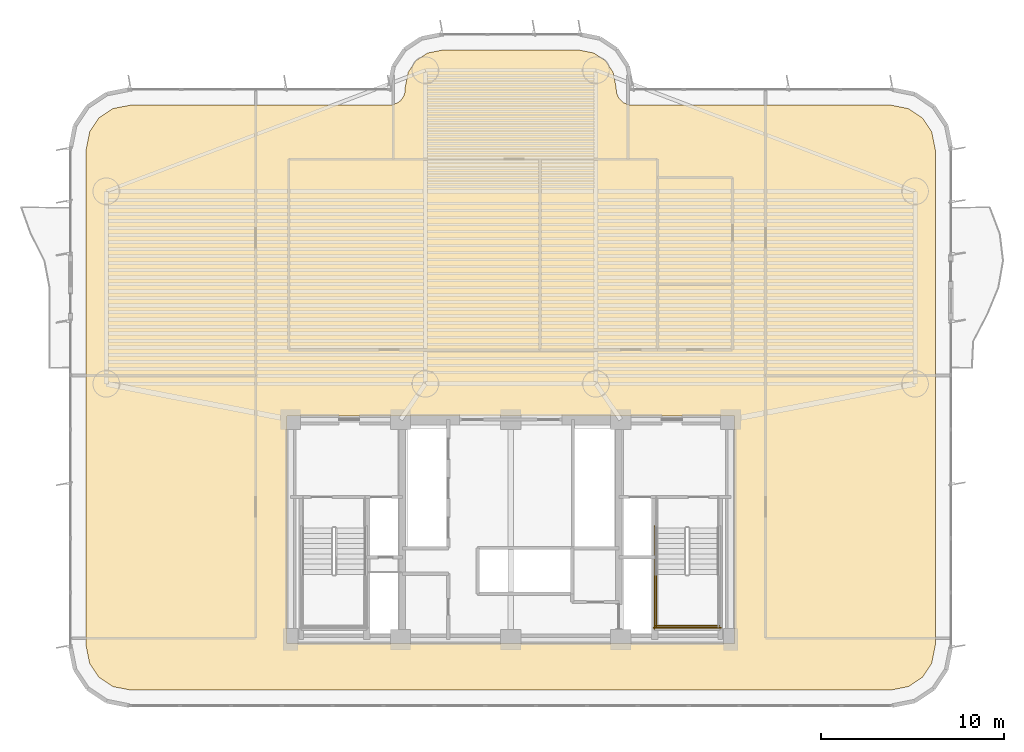
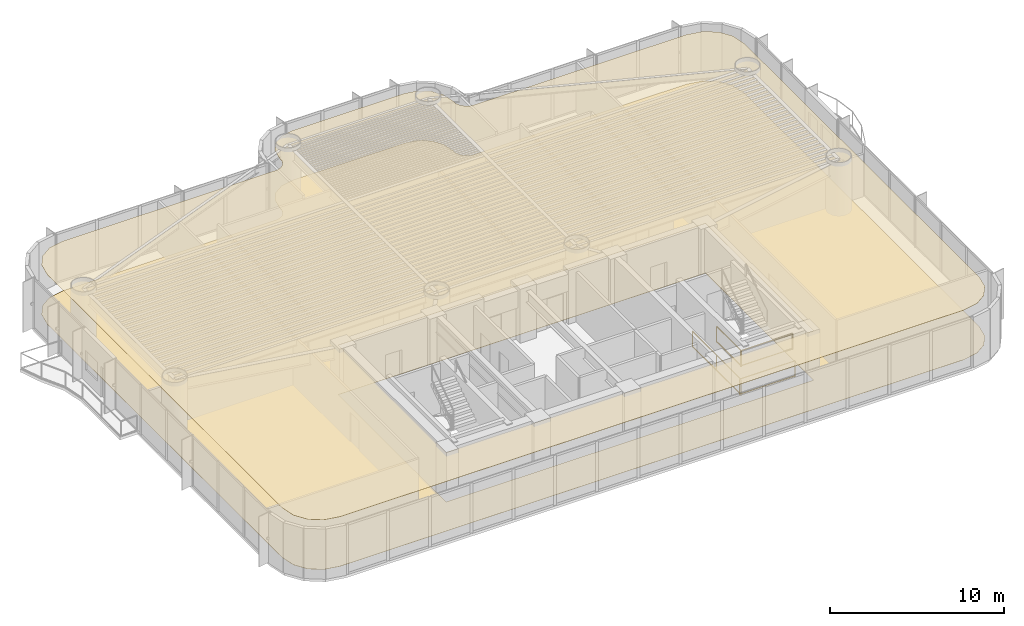
# One storey, part 14 of 16: 4 railings, 2 coverings.
"""IFC4 building model written with IfcOpenShell, lengths in metres."""

from ifc_helpers import new_model, si_unit, direction, frame, origin, origin_2d, place, context, subcontext, project, spatial, polyline, rectangle, outline, extrude, material, layer, layer_set, type_object, element, save


model = new_model("IFC4")

# Units and contexts
model_context = context("Model", 3, precision=1e-05, world=origin(), true_north=direction((0.0, 1.0)))
body_context = subcontext(model_context, "Body", "Model", "MODEL_VIEW")
ifc_project = project(units=[si_unit("LENGTHUNIT", "METRE"), si_unit("AREAUNIT", "SQUARE_METRE"), si_unit("VOLUMEUNIT", "CUBIC_METRE"), si_unit("PLANEANGLEUNIT", "RADIAN"), si_unit("MASSUNIT", "GRAM", prefix="KILO")], contexts=[model_context])

# Site, building, storey
site_placement = place(None, origin())
site = spatial("IfcSite", under=ifc_project, at=site_placement, CompositionType="ELEMENT")
building_placement = place(site_placement, origin())
building = spatial("IfcBuilding", under=site, at=building_placement, Name="Brelvock Crest Care Tower", CompositionType="ELEMENT")
storey_placement = place(building_placement, frame((0.0, 0.0, 61.02001953125)))
storey = spatial("IfcBuildingStorey", under=building, at=storey_placement, Name="L15", CompositionType="ELEMENT", Elevation=61.02001953125)

# Coverings
ifc_material_1 = material(Name="Mineral Fibre Acoustic Ceiling Tile", Category="gypsum")
ifc_layer_1 = layer(ifc_material_1, 0.02490234375, Name="COV-CLG1")
ifc_layer_set_1 = layer_set([ifc_layer_1], Name="Mineral Fibre Acoustic Ceiling Tile")
covering_type_1 = type_object("IfcCoveringType", Name="COV-CLG1", PredefinedType="CEILING", material=ifc_layer_set_1)
covering_1_placement = place(storey_placement, frame((0.0, 0.0, 3.47509765625)))
element("IfcCovering", 1, at=covering_1_placement, inside=storey, type_object=covering_type_1, Name="L15 Acoustic Suspended Ceiling 1", PredefinedType="CEILING", context=body_context, shape_type="SweptSolid", body=[
    extrude(outline(polyline([(56.71630859375, 35.14990234375), (42.5166015625, 35.154052734375), (42.353271484375, 35.1865234375), (42.127685546875, 35.293212890625), (41.893310546875, 35.52783203125), (41.766357421875, 35.834228515625), (41.75, 36.1162109375), (41.586181640625, 36.939697265625), (41.1669921875, 37.567138671875), (40.539794921875, 37.986083984375), (39.71630859375, 38.14990234375), (32.28369140625, 38.14990234375), (31.460205078125, 37.986083984375), (30.8330078125, 37.567138671875), (30.413818359375, 36.939697265625), (30.25, 36.1162109375), (30.233642578125, 35.834228515625), (30.149658203125, 35.599365234375), (30.0009765625, 35.39892578125), (29.872314453125, 35.293212890625), (29.56591796875, 35.166259765625), (15.28369140625, 35.14990234375), (14.30712890625, 34.955810546875), (13.550048828125, 34.449951171875), (13.044189453125, 33.69287109375), (12.85009765625, 32.71630859375), (12.85009765625, 5.68359375), (13.044189453125, 4.70703125), (13.550048828125, 3.9501953125), (14.30712890625, 3.4443359375), (15.28369140625, 3.25), (56.71630859375, 3.25), (57.69287109375, 3.4443359375), (58.449951171875, 3.9501953125), (58.955810546875, 4.70703125), (59.14990234375, 5.68359375), (59.14990234375, 32.71630859375), (58.955810546875, 33.69287109375), (58.449951171875, 34.449951171875), (57.69287109375, 34.955810546875), (56.71630859375, 35.14990234375)]), holes=[polyline([(48.199951171875, 5.800048828125), (48.199951171875, 18.199951171875), (23.800048828125, 18.199951171875), (23.800048828125, 5.800048828125), (48.199951171875, 5.800048828125)])]), origin(), (0.0, 0.0, 1.0), 0.02490234375),
])
ifc_material_2 = material(Name="Slip-Resistant Acoustic Vinyl Flooring", Category="finish")
ifc_layer_2 = layer(ifc_material_2, 0.014892578125, Name="COV-FLR1")
ifc_layer_set_2 = layer_set([ifc_layer_2], Name="Slip-Resistant Acoustic Vinyl Flooring")
covering_type_2 = type_object("IfcCoveringType", Name="COV-FLR1", PredefinedType="FLOORING", material=ifc_layer_set_2)
covering_2_placement = place(storey_placement, origin())
element("IfcCovering", 2, at=covering_2_placement, inside=storey, type_object=covering_type_2, Name="L15 Slip-Resistant Acoustic Flooring 1", PredefinedType="FLOORING", context=body_context, shape_type="SweptSolid", body=[
    extrude(outline(polyline([(56.71630859375, 35.14990234375), (42.5166015625, 35.154052734375), (42.353271484375, 35.1865234375), (42.127685546875, 35.293212890625), (41.893310546875, 35.52783203125), (41.766357421875, 35.834228515625), (41.75, 36.1162109375), (41.586181640625, 36.939697265625), (41.1669921875, 37.567138671875), (40.539794921875, 37.986083984375), (39.71630859375, 38.14990234375), (32.28369140625, 38.14990234375), (31.460205078125, 37.986083984375), (30.8330078125, 37.567138671875), (30.413818359375, 36.939697265625), (30.25, 36.1162109375), (30.233642578125, 35.834228515625), (30.149658203125, 35.599365234375), (30.0009765625, 35.39892578125), (29.872314453125, 35.293212890625), (29.56591796875, 35.166259765625), (15.28369140625, 35.14990234375), (14.30712890625, 34.955810546875), (13.550048828125, 34.449951171875), (13.044189453125, 33.69287109375), (12.85009765625, 32.71630859375), (12.85009765625, 5.68359375), (13.044189453125, 4.70703125), (13.550048828125, 3.9501953125), (14.30712890625, 3.4443359375), (15.28369140625, 3.25), (56.71630859375, 3.25), (57.69287109375, 3.4443359375), (58.449951171875, 3.9501953125), (58.955810546875, 4.70703125), (59.14990234375, 5.68359375), (59.14990234375, 32.71630859375), (58.955810546875, 33.69287109375), (58.449951171875, 34.449951171875), (57.69287109375, 34.955810546875), (56.71630859375, 35.14990234375)]), holes=[polyline([(48.199951171875, 5.800048828125), (48.199951171875, 18.199951171875), (23.800048828125, 18.199951171875), (23.800048828125, 5.800048828125), (48.199951171875, 5.800048828125)])]), origin(), (0.0, 0.0, 1.0), 0.014892578125),
])

# Railings
ifc_material_3 = material(Name="Steel Grade 350", Category="steel")
ifc_layer_3 = layer(ifc_material_3, 0.050048828125, Name="RL-STG1")
ifc_layer_set_3 = layer_set([ifc_layer_3], Name="Steel Grade 350")
railing_type = type_object("IfcRailingType", Name="RL-STG1", PredefinedType="GUARDRAIL", material=ifc_layer_set_3)
railing_1_placement = place(storey_placement, frame((43.93994140625, 9.56005859375, 1.889892578125)))
element("IfcRailing", 3, at=railing_1_placement, inside=storey, type_object=railing_type, Name="L15 ST-2 stair guard 3", PredefinedType="GUARDRAIL", context=body_context, shape_type="SweptSolid", body=[
    extrude(rectangle(XDim=0.048095703125, YDim=0.048095703125, at=origin_2d()), frame((0.0, -0.001953125, 1.11572265625), z_axis=(0.0, -1.0, 0.0), x_axis=(1.0, 0.0, 0.0)), (0.0, 0.0, 1.0), 2.856201171875),
    extrude(rectangle(XDim=0.048095703125, YDim=0.048095703125, at=origin_2d()), frame((0.0, -0.001953125, 0.054931640625), z_axis=(0.0, -1.0, 0.0), x_axis=(1.0, 0.0, 0.0)), (0.0, 0.0, 1.0), 2.856201171875),
    extrude(rectangle(XDim=0.0419921875, YDim=0.0419921875, at=origin_2d()), origin(), (0.0, 0.0, 1.0), 1.08984375),
    extrude(rectangle(XDim=0.0419921875, YDim=0.0419921875, at=origin_2d()), frame((0.0, -2.860107421875, 0.0)), (0.0, 0.0, 1.0), 1.08984375),
])
railing_2_placement = place(storey_placement, frame((43.889892578125, 6.75, 1.889892578125)))
element("IfcRailing", 4, at=railing_2_placement, inside=storey, type_object=railing_type, Name="L15 ST-2 stair guard 5", PredefinedType="GUARDRAIL", context=body_context, shape_type="SweptSolid", body=[
    extrude(rectangle(XDim=0.048095703125, YDim=0.048095703125, at=origin_2d()), frame((0.001953125, 0.0, 1.11572265625), z_axis=(1.0, 0.0, 0.0), x_axis=(0.0, 1.0, 0.0)), (0.0, 0.0, 1.0), 3.476318359375),
    extrude(rectangle(XDim=0.048095703125, YDim=0.048095703125, at=origin_2d()), frame((0.001953125, 0.0, 0.054931640625), z_axis=(1.0, 0.0, 0.0), x_axis=(0.0, 1.0, 0.0)), (0.0, 0.0, 1.0), 3.476318359375),
    extrude(rectangle(XDim=0.0419921875, YDim=0.0419921875, at=origin_2d()), origin(), (0.0, 0.0, 1.0), 1.08984375),
    extrude(rectangle(XDim=0.0419921875, YDim=0.0419921875, at=origin_2d()), frame((3.480224609375, 0.0, 0.0)), (0.0, 0.0, 1.0), 1.08984375),
])
railing_3_placement = place(storey_placement, frame((43.840087890625, 12.179931640625, 0.0)))
element("IfcRailing", 5, at=railing_3_placement, inside=storey, type_object=railing_type, Name="L15 ST-2 stair guard 10", PredefinedType="GUARDRAIL", context=body_context, shape_type="SweptSolid", body=[
    extrude(rectangle(XDim=0.048095703125, YDim=0.048095703125, at=origin_2d()), frame((0.0, -0.001953125, 1.11572265625), z_axis=(0.0, -1.0, 0.0), x_axis=(1.0, 0.0, 0.0)), (0.0, 0.0, 1.0), 5.575927734375),
    extrude(rectangle(XDim=0.048095703125, YDim=0.048095703125, at=origin_2d()), frame((0.0, -0.001953125, 0.054931640625), z_axis=(0.0, -1.0, 0.0), x_axis=(1.0, 0.0, 0.0)), (0.0, 0.0, 1.0), 5.575927734375),
    extrude(rectangle(XDim=0.0419921875, YDim=0.0419921875, at=origin_2d()), origin(), (0.0, 0.0, 1.0), 1.08984375),
    extrude(rectangle(XDim=0.0419921875, YDim=0.0419921875, at=origin_2d()), frame((0.0, -2.7900390625, 0.0)), (0.0, 0.0, 1.0), 1.08984375),
    extrude(rectangle(XDim=0.0419921875, YDim=0.0419921875, at=origin_2d()), frame((0.0, -5.579833984375, 0.0)), (0.0, 0.0, 1.0), 1.08984375),
])
railing_4_placement = place(storey_placement, frame((43.7900390625, 6.64990234375, 0.0)))
element("IfcRailing", 6, at=railing_4_placement, inside=storey, type_object=railing_type, Name="L15 ST-2 stair guard 12", PredefinedType="GUARDRAIL", context=body_context, shape_type="SweptSolid", body=[
    extrude(rectangle(XDim=0.048095703125, YDim=0.048095703125, at=origin_2d()), frame((0.001953125, 0.0, 1.11572265625), z_axis=(1.0, 0.0, 0.0), x_axis=(0.0, 1.0, 0.0)), (0.0, 0.0, 1.0), 3.676025390625),
    extrude(rectangle(XDim=0.048095703125, YDim=0.048095703125, at=origin_2d()), frame((0.001953125, 0.0, 0.054931640625), z_axis=(1.0, 0.0, 0.0), x_axis=(0.0, 1.0, 0.0)), (0.0, 0.0, 1.0), 3.676025390625),
    extrude(rectangle(XDim=0.0419921875, YDim=0.0419921875, at=origin_2d()), origin(), (0.0, 0.0, 1.0), 1.08984375),
    extrude(rectangle(XDim=0.0419921875, YDim=0.0419921875, at=origin_2d()), frame((3.679931640625, 0.0, 0.0)), (0.0, 0.0, 1.0), 1.08984375),
])

save(model, "model.ifc")
